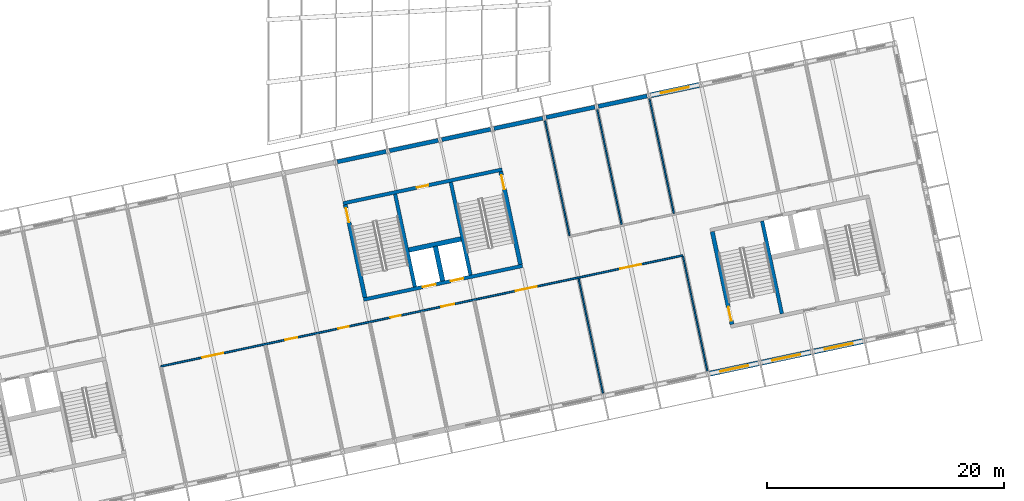
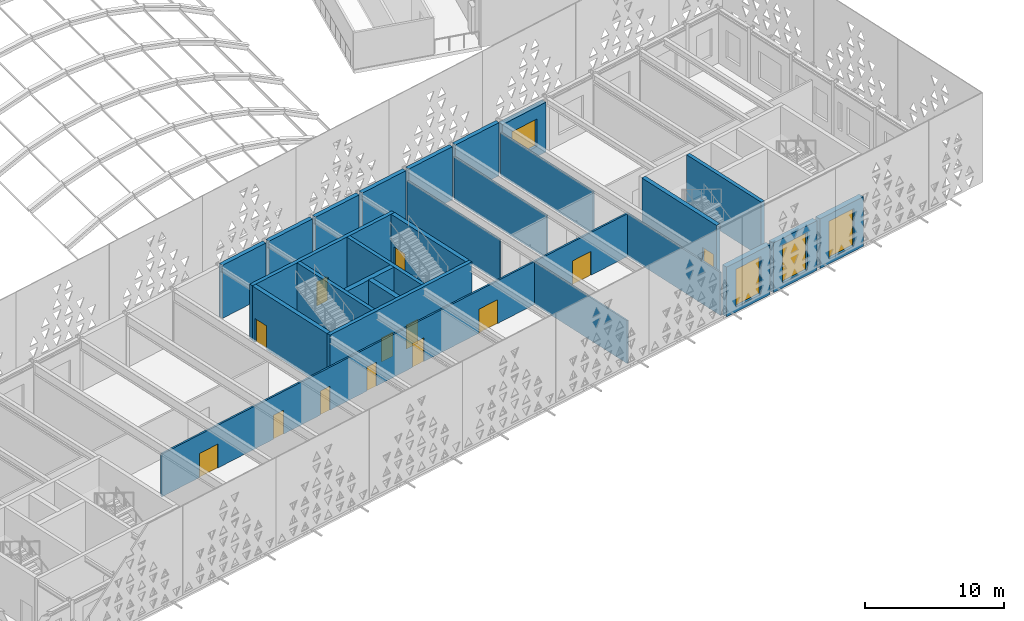
# One storey, part 124 of 196: 26 walls, 13 doors, 4 windows, 17 openings.
"""IFC4 building model written with IfcOpenShell, lengths in metres."""

import ifcopenshell
import ifcopenshell.guid

model = None  # the IFC model being written
_history = None  # IfcOwnerHistory: only IFC2X3 demands one
_inside = {}  # id of a spatial element -> (the spatial element, [elements in it])
_under = {}  # id of a project, library or spatial element -> (it, [spatial elements below it])
_declared = {}  # id of a project -> (the project, [libraries it declares])
_typed = {}  # id of a type object -> (the type object, [elements of that type])
_made_of = {}  # id of a material, layer set ... -> (it, [elements and type objects made of it])


def new_model(schema):
    """Start an empty IFC model of exactly this schema.

    Asked for "IFC4X3", IfcOpenShell would pick the latest addendum, in which some entities
    have other attributes; the version numbers below select the first issue.
    IFC2X3 requires an IfcOwnerHistory on every rooted entity: one is made here for all.
    """
    global model, _history
    if schema == "IFC4X3":
        model = ifcopenshell.file(schema_version=(4, 3, 0, 0))
    else:
        model = ifcopenshell.file(schema=schema)
    _inside.clear()
    _under.clear()
    _declared.clear()
    _typed.clear()
    _made_of.clear()
    _history = None
    if model.schema == "IFC2X3":
        org = make("IfcOrganization", Name="unknown")
        user = make(
            "IfcPersonAndOrganization",
            ThePerson=make("IfcPerson", FamilyName="unknown"),
            TheOrganization=org,
        )
        app = make(
            "IfcApplication",
            ApplicationDeveloper=org,
            Version="unknown",
            ApplicationFullName="unknown",
            ApplicationIdentifier="unknown",
        )
        _history = make(
            "IfcOwnerHistory",
            OwningUser=user,
            OwningApplication=app,
            ChangeAction="ADDED",
            CreationDate=0,
        )
    return model


def make(cls, **values):
    """One entity of the class cls with the attributes given. An attribute that is None is left unset."""
    return model.create_entity(
        cls, **{name: value for name, value in values.items() if value is not None}
    )


def rooted(cls, **values):
    """An entity with a GlobalId (a new one), such as an element, a storey or a relation."""
    return make(cls, GlobalId=ifcopenshell.guid.new(), OwnerHistory=_history, **values)


def si_unit(unit_type, name, prefix=None):
    """IfcSIUnit, for example si_unit("LENGTHUNIT", "METRE", prefix="MILLI")."""
    return make("IfcSIUnit", UnitType=unit_type, Prefix=prefix, Name=name)


def assignment(units):
    """IfcUnitAssignment: the units of a project."""
    return None if units is None else make("IfcUnitAssignment", Units=units)


def point(xyz):
    """IfcCartesianPoint."""
    return None if xyz is None else make("IfcCartesianPoint", Coordinates=xyz)


def direction(xyz):
    """IfcDirection."""
    return None if xyz is None else make("IfcDirection", DirectionRatios=xyz)


def frame(location, z_axis=None, x_axis=None):
    """IfcAxis2Placement3D, a coordinate frame: its origin and axes. An axis left out is left unset."""
    return make(
        "IfcAxis2Placement3D",
        Location=point(location),
        Axis=direction(z_axis),
        RefDirection=direction(x_axis),
    )


def frame_2d(location, x_axis=None):
    """IfcAxis2Placement2D, a coordinate frame in the plane: its origin and x axis."""
    return make(
        "IfcAxis2Placement2D", Location=point(location), RefDirection=direction(x_axis)
    )


def origin():
    """The frame at (0, 0, 0) with its axes left unset."""
    return frame((0.0, 0.0, 0.0))


def place(relative_to, where):
    """IfcLocalPlacement: puts the frame where relative to a parent placement (None: the world)."""
    return make(
        "IfcLocalPlacement", PlacementRelTo=relative_to, RelativePlacement=where
    )


def context(
    kind, dimensions, precision=None, world=None, true_north=None, identifier=None
):
    """IfcGeometricRepresentationContext, for example the 3D "Model" context."""
    return make(
        "IfcGeometricRepresentationContext",
        ContextIdentifier=identifier,
        ContextType=kind,
        CoordinateSpaceDimension=dimensions,
        Precision=precision,
        WorldCoordinateSystem=world,
        TrueNorth=true_north,
    )


def subcontext(parent, identifier, kind, view, scale=None):
    """IfcGeometricRepresentationSubContext, for example "Body" below "Model"."""
    return make(
        "IfcGeometricRepresentationSubContext",
        ContextIdentifier=identifier,
        ContextType=kind,
        ParentContext=parent,
        TargetScale=scale,
        TargetView=view,
    )


def project(units=None, contexts=None):
    """IfcProject with its units and contexts."""
    return rooted(
        "IfcProject",
        Name="project",
        RepresentationContexts=contexts,
        UnitsInContext=assignment(units),
    )


def spatial(cls, under=None, at=None, **own):
    """A site, building, storey or space (cls), placed at a placement, below another one or the project."""
    s = rooted(cls, ObjectPlacement=at, **own)
    if under is not None:
        _under.setdefault(under.id(), (under, []))[1].append(s)
    return s


def profile(cls, at=None, kind="AREA", **sizes):
    """A parametric profile (cls). Its sizes go by their IFC names, for example OverallWidth=200.0."""
    return make(cls, ProfileType=kind, Position=at, **sizes)


def rectangle(**sizes):
    """IfcRectangleProfileDef."""
    return profile("IfcRectangleProfileDef", **sizes)


def extrude(swept, where, along, depth):
    """IfcExtrudedAreaSolid: the profile swept, set in the frame where, extruded along a direction by depth."""
    return make(
        "IfcExtrudedAreaSolid",
        SweptArea=swept,
        Position=where,
        ExtrudedDirection=direction(along),
        Depth=depth,
    )


def shape(context_of_items, identifier, shape_type, items):
    """IfcShapeRepresentation: the items that make up one representation, for example the "Body"."""
    return make(
        "IfcShapeRepresentation",
        ContextOfItems=context_of_items,
        RepresentationIdentifier=identifier,
        RepresentationType=shape_type,
        Items=items,
    )


def material(Name=None, Category=None):
    """IfcMaterial."""
    return make("IfcMaterial", Name=Name, Category=Category)


def layer(
    of_material, thickness, ventilated=None, Name=None, Category=None, Priority=None
):
    """IfcMaterialLayer: one layer of a wall or slab, of a material (None: an air gap)."""
    return make(
        "IfcMaterialLayer",
        Material=of_material,
        LayerThickness=thickness,
        IsVentilated=ventilated,
        Name=Name,
        Category=Category,
        Priority=Priority,
    )


def layer_set(layers, Name=None):
    """IfcMaterialLayerSet."""
    return make("IfcMaterialLayerSet", MaterialLayers=layers, LayerSetName=Name)


def made_of(thing, what):
    """Note that an element or type object is made of a material, layer set ...; save() writes the relation."""
    if what is not None:
        _made_of.setdefault(what.id(), (what, []))[1].append(thing)
    return thing


def type_object(cls, material=None, **own):
    """A type object (cls), such as IfcWallType, which elements share."""
    return made_of(rooted(cls, **own), material)


def element(
    cls,
    number,
    at=None,
    inside=None,
    cuts=None,
    type_object=None,
    material=None,
    context=None,
    identifier="Body",
    shape_type=None,
    held_by="IfcProductDefinitionShape",
    body=None,
    shapes=None,
    **own,
):
    """One element of the class cls, such as IfcWall. Its Tag is "e" and its number.

    at: its placement. inside: the storey or other place that contains it. cuts: it is an
    opening in that element (IfcRelVoidsElement). A single representation is given by context,
    identifier, shape_type and body (its items); several are given by shapes. held_by: the class
    of the entity that holds the representations. save() writes the other relations.
    """
    e = rooted(cls, Tag="e%d" % number, ObjectPlacement=at, **own)
    if body is not None:
        shapes = [shape(context, identifier, shape_type, body)]
    if shapes is not None:
        e.Representation = make(held_by, Representations=shapes)
    if inside is not None:
        _inside.setdefault(inside.id(), (inside, []))[1].append(e)
    if cuts is not None:
        rooted(
            "IfcRelVoidsElement", RelatingBuildingElement=cuts, RelatedOpeningElement=e
        )
    if type_object is not None:
        _typed.setdefault(type_object.id(), (type_object, []))[1].append(e)
    return made_of(e, material)


def fill(opening, filler):
    """IfcRelFillsElement: the door or window that sits in an opening."""
    return rooted(
        "IfcRelFillsElement",
        RelatingOpeningElement=opening,
        RelatedBuildingElement=filler,
    )


def aggregate(whole, parts):
    """IfcRelAggregates: a whole, such as a stair, and the parts it consists of."""
    return rooted("IfcRelAggregates", RelatingObject=whole, RelatedObjects=parts)


def save(model, path):
    """Write the relations noted so far, then the file.

    IfcRelAggregates (storeys below a building ...), IfcRelContainedInSpatialStructure (elements
    in a storey), IfcRelDefinesByType, IfcRelAssociatesMaterial and IfcRelDeclares: one each for
    every whole, place, type object, material and project.
    """
    for whole, parts in _under.values():
        aggregate(whole, parts)
    for where, things in _inside.values():
        rooted(
            "IfcRelContainedInSpatialStructure",
            RelatedElements=things,
            RelatingStructure=where,
        )
    for kind, things in _typed.values():
        rooted("IfcRelDefinesByType", RelatedObjects=things, RelatingType=kind)
    for what, things in _made_of.values():
        rooted("IfcRelAssociatesMaterial", RelatedObjects=things, RelatingMaterial=what)
    for by, libraries in _declared.values():
        rooted("IfcRelDeclares", RelatingContext=by, RelatedDefinitions=libraries)
    model.write(path)


model = new_model("IFC4")

# Units and contexts
model_context = context("Model", 3, precision=1e-05, world=origin(), true_north=direction((0.0, 1.0)))
body_context = subcontext(model_context, "Body", "Model", "MODEL_VIEW")
ifc_project = project(units=[si_unit("LENGTHUNIT", "METRE"), si_unit("AREAUNIT", "SQUARE_METRE"), si_unit("VOLUMEUNIT", "CUBIC_METRE"), si_unit("PLANEANGLEUNIT", "RADIAN"), si_unit("MASSUNIT", "GRAM", prefix="KILO")], contexts=[model_context])

# Site, building, storey
site_placement = place(None, origin())
site = spatial("IfcSite", under=ifc_project, at=site_placement, CompositionType="ELEMENT")
building_placement = place(site_placement, origin())
building = spatial("IfcBuilding", under=site, at=building_placement, Name="Okhra Congress Centre", CompositionType="ELEMENT")
storey_placement = place(building_placement, frame((0.0, 0.0, 12.0)))
storey = spatial("IfcBuildingStorey", under=building, at=storey_placement, Name="L02", CompositionType="ELEMENT", Elevation=12.0)

# Wall, opening, window
ifc_material_1 = material(Name="Insulated metal panel on steel stud (mineral wool, vapour barrier)", Category="steel")
ifc_layer_1 = layer(ifc_material_1, 0.449951171875)
ifc_layer_set_1 = layer_set([ifc_layer_1], Name="Insulated wall 450")
wall_type_1 = type_object("IfcWallType", Name="Insulated wall 450", PredefinedType="SOLIDWALL", material=ifc_layer_set_1)
wall_1_placement = place(storey_placement, frame((197.609375, 55.843994140625, 0.0), z_axis=(0.0, 0.0, 1.0), x_axis=(0.978143927149, 0.207928972925, 0.0)))
wall_1 = element("IfcWall", 1, at=wall_1_placement, inside=storey, type_object=wall_type_1, Name="External wall S32 L02", PredefinedType="SOLIDWALL", context=body_context, shape_type="SweptSolid", body=[
    extrude(rectangle(XDim=4.199951171875, YDim=0.449951171875, at=frame_2d((2.10009765625, 0.0))), origin(), (0.0, 0.0, 1.0), 4.35009765625),
])
opening_1_placement = place(wall_1_placement, frame((0.89990234375, 0.0, 0.449951171875)))
opening_1 = element("IfcOpeningElement", 2, at=opening_1_placement, cuts=wall_1, Name="Opening WN21", PredefinedType="OPENING", context=body_context, shape_type="SweptSolid", body=[
    extrude(rectangle(XDim=2.39990234375, YDim=3.300048828125, at=frame_2d((1.199951171875, 1.64990234375))), frame((0.0, 0.23486328125, 0.0), z_axis=(0.0, -1.0, 0.0), x_axis=(1.0, 0.0, 0.0)), (0.0, 0.0, 1.0), 0.469970703125),
])
ifc_material_2 = material(Name="Thermally broken aluminium frame, triple glazing", Category="aluminium")
window_type_1 = type_object("IfcWindowType", Name="Two-light window 2400x3300", PartitioningType="DOUBLE_PANEL_VERTICAL", PredefinedType="WINDOW", material=ifc_material_2)
window_1_placement = place(opening_1_placement, origin())
window_1 = element("IfcWindow", 3, at=window_1_placement, inside=storey, type_object=window_type_1, Name="BX.WIN.L02.32", OverallHeight=3.300048828125, OverallWidth=2.39990234375, PartitioningType="DOUBLE_PANEL_VERTICAL", PredefinedType="WINDOW", context=body_context, shape_type="SweptSolid", body=[
    extrude(rectangle(XDim=2.39990234375, YDim=3.300048828125, at=frame_2d((1.199951171875, 1.64990234375))), frame((0.0, 0.030029296875, 0.0), z_axis=(0.0, -1.0, 0.0), x_axis=(1.0, 0.0, 0.0)), (0.0, 0.0, 1.0), 0.06005859375),
])
fill(opening_1, window_1)

wall_2_placement = place(storey_placement, frame((202.010986328125, 56.77978515625, 0.0), z_axis=(0.0, 0.0, 1.0), x_axis=(0.978155748334, 0.207873355681, 0.0)))
wall_2 = element("IfcWall", 4, at=wall_2_placement, inside=storey, type_object=wall_type_1, Name="External wall S33 L02", PredefinedType="SOLIDWALL", context=body_context, shape_type="SweptSolid", body=[
    extrude(rectangle(XDim=4.199951171875, YDim=0.449951171875, at=frame_2d((2.10009765625, 0.0))), origin(), (0.0, 0.0, 1.0), 4.35009765625),
])
opening_2_placement = place(wall_2_placement, frame((0.89990234375, 0.0, 0.449951171875)))
opening_2 = element("IfcOpeningElement", 5, at=opening_2_placement, cuts=wall_2, Name="Opening WN21", PredefinedType="OPENING", context=body_context, shape_type="SweptSolid", body=[
    extrude(rectangle(XDim=2.39990234375, YDim=3.300048828125, at=frame_2d((1.199951171875, 1.64990234375))), frame((0.0, 0.23486328125, 0.0), z_axis=(0.0, -1.0, 0.0), x_axis=(1.0, 0.0, 0.0)), (0.0, 0.0, 1.0), 0.469970703125),
])
window_2_placement = place(opening_2_placement, origin())
window_2 = element("IfcWindow", 6, at=window_2_placement, inside=storey, type_object=window_type_1, Name="BX.WIN.L02.33", OverallHeight=3.300048828125, OverallWidth=2.39990234375, PartitioningType="DOUBLE_PANEL_VERTICAL", PredefinedType="WINDOW", context=body_context, shape_type="SweptSolid", body=[
    extrude(rectangle(XDim=2.39990234375, YDim=3.300048828125, at=frame_2d((1.199951171875, 1.64990234375))), frame((0.0, 0.030029296875, 0.0), z_axis=(0.0, -1.0, 0.0), x_axis=(1.0, 0.0, 0.0)), (0.0, 0.0, 1.0), 0.06005859375),
])
fill(opening_2, window_2)

wall_3_placement = place(storey_placement, frame((206.41259765625, 57.71533203125, 0.0), z_axis=(0.0, 0.0, 1.0), x_axis=(0.978143927149, 0.207928972925, 0.0)))
wall_3 = element("IfcWall", 7, at=wall_3_placement, inside=storey, type_object=wall_type_1, Name="External wall S34 L02", PredefinedType="SOLIDWALL", context=body_context, shape_type="SweptSolid", body=[
    extrude(rectangle(XDim=4.199951171875, YDim=0.449951171875, at=frame_2d((2.10009765625, 0.0))), origin(), (0.0, 0.0, 1.0), 4.35009765625),
])
opening_3_placement = place(wall_3_placement, frame((0.89990234375, 0.0, 0.449951171875)))
opening_3 = element("IfcOpeningElement", 8, at=opening_3_placement, cuts=wall_3, Name="Opening WN21", PredefinedType="OPENING", context=body_context, shape_type="SweptSolid", body=[
    extrude(rectangle(XDim=2.39990234375, YDim=3.300048828125, at=frame_2d((1.199951171875, 1.64990234375))), frame((0.0, 0.23486328125, 0.0), z_axis=(0.0, -1.0, 0.0), x_axis=(1.0, 0.0, 0.0)), (0.0, 0.0, 1.0), 0.469970703125),
])
window_3_placement = place(opening_3_placement, origin())
window_3 = element("IfcWindow", 9, at=window_3_placement, inside=storey, type_object=window_type_1, Name="BX.WIN.L02.34", OverallHeight=3.300048828125, OverallWidth=2.39990234375, PartitioningType="DOUBLE_PANEL_VERTICAL", PredefinedType="WINDOW", context=body_context, shape_type="SweptSolid", body=[
    extrude(rectangle(XDim=2.39990234375, YDim=3.300048828125, at=frame_2d((1.199951171875, 1.64990234375))), frame((0.0, 0.030029296875, 0.0), z_axis=(0.0, -1.0, 0.0), x_axis=(1.0, 0.0, 0.0)), (0.0, 0.0, 1.0), 0.06005859375),
])
fill(opening_3, window_3)

wall_4_placement = place(storey_placement, frame((192.619384765625, 79.319580078125, 0.0), z_axis=(0.0, 0.0, 1.0), x_axis=(0.978143927149, 0.207928972925, 0.0)))
wall_4 = element("IfcWall", 10, at=wall_4_placement, inside=storey, type_object=wall_type_1, Name="External wall N32 L02", PredefinedType="SOLIDWALL", context=body_context, shape_type="SweptSolid", body=[
    extrude(rectangle(XDim=4.199951171875, YDim=0.449951171875, at=frame_2d((2.10009765625, 0.0))), origin(), (0.0, 0.0, 1.0), 4.35009765625),
])
opening_4_placement = place(wall_4_placement, frame((0.89990234375, 0.0, 0.89990234375)))
opening_4 = element("IfcOpeningElement", 11, at=opening_4_placement, cuts=wall_4, Name="Opening WN22", PredefinedType="OPENING", context=body_context, shape_type="SweptSolid", body=[
    extrude(rectangle(XDim=2.39990234375, YDim=2.39990234375, at=frame_2d((1.199951171875, 1.199951171875))), frame((0.0, 0.23486328125, 0.0), z_axis=(0.0, -1.0, 0.0), x_axis=(1.0, 0.0, 0.0)), (0.0, 0.0, 1.0), 0.469970703125),
])
window_type_2 = type_object("IfcWindowType", Name="Fixed window 2400x2400", PartitioningType="SINGLE_PANEL", PredefinedType="WINDOW", material=ifc_material_2)
window_4_placement = place(opening_4_placement, origin())
window_4 = element("IfcWindow", 12, at=window_4_placement, inside=storey, type_object=window_type_2, Name="BX.WIN.L02.59", OverallHeight=2.39990234375, OverallWidth=2.39990234375, PartitioningType="SINGLE_PANEL", PredefinedType="WINDOW", context=body_context, shape_type="SweptSolid", body=[
    extrude(rectangle(XDim=2.39990234375, YDim=2.39990234375, at=frame_2d((1.199951171875, 1.199951171875))), frame((0.0, 0.030029296875, 0.0), z_axis=(0.0, -1.0, 0.0), x_axis=(1.0, 0.0, 0.0)), (0.0, 0.0, 1.0), 0.06005859375),
])
fill(opening_4, window_4)

# Walls
ifc_material_3 = material(Name="Gypsum board on steel studs", Category="steel")
ifc_layer_2 = layer(ifc_material_3, 0.125)
ifc_layer_set_2 = layer_set([ifc_layer_2], Name="Partition 125")
wall_type_2 = type_object("IfcWallType", Name="Partition 125", PredefinedType="PARTITIONING", material=ifc_layer_set_2)
for number, where, z_axis, x_axis, name in (
    (13, (188.612548828125, 54.161865234375, 0.0), (0.0, 0.0, 1.0), (-0.207932893358, 0.978143093754, 0.0), "Partition S L02"),
    (14, (197.415771484375, 56.032958984375, 0.0), (0.0, 0.0, 1.0), (-0.207904355568, 0.978149159861, 0.0), "Partition S L02"),
):
    element("IfcWall", number, at=place(storey_placement, frame(where, z_axis=z_axis, x_axis=x_axis)), inside=storey, type_object=wall_type_2, Name=name, PredefinedType="PARTITIONING", context=body_context, shape_type="SweptSolid", body=[
        extrude(rectangle(XDim=9.925048828125, YDim=0.125, at=frame_2d((4.96240234375, 0.0))), origin(), (0.0, 0.0, 1.0), 3.75),
    ])
wall_5_placement = place(storey_placement, frame((183.716064453125, 77.197265625, 0.0), z_axis=(0.0, 0.0, 1.0), x_axis=(0.207927890391, -0.978144157268, 0.0)))
element("IfcWall", 15, at=wall_5_placement, inside=storey, type_object=wall_type_2, Name="Partition N L02", PredefinedType="PARTITIONING", context=body_context, shape_type="SweptSolid", body=[
    extrude(rectangle(XDim=9.92529296875, YDim=0.125, at=frame_2d((4.962646484375, 0.0))), origin(), (0.0, 0.0, 1.0), 3.75),
])
wall_6_placement = place(storey_placement, frame((188.117919921875, 78.1328125, 0.0), z_axis=(0.0, 0.0, 1.0), x_axis=(0.207904355568, -0.978149159861, 0.0)))
element("IfcWall", 16, at=wall_6_placement, inside=storey, type_object=wall_type_2, Name="Partition N L02", PredefinedType="PARTITIONING", context=body_context, shape_type="SweptSolid", body=[
    extrude(rectangle(XDim=9.925048828125, YDim=0.125, at=frame_2d((4.96240234375, 0.0))), origin(), (0.0, 0.0, 1.0), 3.75),
])
wall_7_placement = place(storey_placement, frame((192.51953125, 79.068359375, 0.0), z_axis=(0.0, 0.0, 1.0), x_axis=(0.20790935802, -0.978148096582, 0.0)))
element("IfcWall", 17, at=wall_7_placement, inside=storey, type_object=wall_type_2, Name="Partition N L02", PredefinedType="PARTITIONING", context=body_context, shape_type="SweptSolid", body=[
    extrude(rectangle(XDim=9.9248046875, YDim=0.125, at=frame_2d((4.96240234375, 0.0))), origin(), (0.0, 0.0, 1.0), 3.75),
])

# Wall, openings, doors
ifc_layer_3 = layer(ifc_material_3, 0.14990234375)
ifc_layer_set_3 = layer_set([ifc_layer_3], Name="Partition 150 EI 15")
wall_type_3 = type_object("IfcWallType", Name="Partition 150 EI 15", PredefinedType="PARTITIONING", material=ifc_layer_set_3)
wall_8_placement = place(storey_placement, frame((151.320068359375, 56.45849609375, 0.0), z_axis=(0.0, 0.0, 1.0), x_axis=(0.97814787394, 0.207910405482, 0.0)))
wall_8 = element("IfcWall", 18, at=wall_8_placement, inside=storey, type_object=wall_type_3, Name="Corridor wall S2 L02", PredefinedType="PARTITIONING", context=body_context, shape_type="SweptSolid", body=[
    extrude(rectangle(XDim=45.0, YDim=0.14990234375, at=frame_2d((22.5, 0.0))), origin(), (0.0, 0.0, 1.0), 3.75),
])
opening_5_placement = place(wall_8_placement, frame((3.60009765625, 0.0, 0.0)))
opening_5 = element("IfcOpeningElement", 19, at=opening_5_placement, cuts=wall_8, Name="Opening L02-067", PredefinedType="OPENING", context=body_context, shape_type="SweptSolid", body=[
    extrude(rectangle(XDim=1.800048828125, YDim=2.10009765625, at=frame_2d((0.89990234375, 1.050048828125))), frame((0.0, 0.0849609375, 0.0), z_axis=(0.0, -1.0, 0.0), x_axis=(1.0, 0.0, 0.0)), (0.0, 0.0, 1.0), 0.169921875),
])
opening_6_placement = place(wall_8_placement, frame((10.75, 0.0, 0.0)))
opening_6 = element("IfcOpeningElement", 20, at=opening_6_placement, cuts=wall_8, Name="Opening L02-068", PredefinedType="OPENING", context=body_context, shape_type="SweptSolid", body=[
    extrude(rectangle(XDim=1.0, YDim=2.10009765625, at=frame_2d((0.5, 1.050048828125))), frame((0.0, 0.0849609375, 0.0), z_axis=(0.0, -1.0, 0.0), x_axis=(1.0, 0.0, 0.0)), (0.0, 0.0, 1.0), 0.169921875),
])
opening_7_placement = place(wall_8_placement, frame((15.300048828125, 0.0, 0.0)))
opening_7 = element("IfcOpeningElement", 21, at=opening_7_placement, cuts=wall_8, Name="Opening L02-069", PredefinedType="OPENING", context=body_context, shape_type="SweptSolid", body=[
    extrude(rectangle(XDim=0.89990234375, YDim=2.10009765625, at=frame_2d((0.449951171875, 1.050048828125))), frame((0.0, 0.0849609375, 0.0), z_axis=(0.0, -1.0, 0.0), x_axis=(1.0, 0.0, 0.0)), (0.0, 0.0, 1.0), 0.169921875),
])
opening_8_placement = place(wall_8_placement, frame((19.800048828125, 0.0, 0.0)))
opening_8 = element("IfcOpeningElement", 22, at=opening_8_placement, cuts=wall_8, Name="Opening L02-070", PredefinedType="OPENING", context=body_context, shape_type="SweptSolid", body=[
    extrude(rectangle(XDim=0.89990234375, YDim=2.10009765625, at=frame_2d((0.449951171875, 1.050048828125))), frame((0.0, 0.0849609375, 0.0), z_axis=(0.0, -1.0, 0.0), x_axis=(1.0, 0.0, 0.0)), (0.0, 0.0, 1.0), 0.169921875),
])
opening_9_placement = place(wall_8_placement, frame((24.199951171875, 0.0, 0.0)))
opening_9 = element("IfcOpeningElement", 23, at=opening_9_placement, cuts=wall_8, Name="Opening L02-071", PredefinedType="OPENING", context=body_context, shape_type="SweptSolid", body=[
    extrude(rectangle(XDim=1.10009765625, YDim=2.10009765625, at=frame_2d((0.550048828125, 1.050048828125))), frame((0.0, 0.0849609375, 0.0), z_axis=(0.0, -1.0, 0.0), x_axis=(1.0, 0.0, 0.0)), (0.0, 0.0, 1.0), 0.169921875),
])
opening_10_placement = place(wall_8_placement, frame((30.60009765625, 0.0, 0.0)))
opening_10 = element("IfcOpeningElement", 24, at=opening_10_placement, cuts=wall_8, Name="Opening L02-072", PredefinedType="OPENING", context=body_context, shape_type="SweptSolid", body=[
    extrude(rectangle(XDim=1.800048828125, YDim=2.10009765625, at=frame_2d((0.89990234375, 1.050048828125))), frame((0.0, 0.0849609375, 0.0), z_axis=(0.0, -1.0, 0.0), x_axis=(1.0, 0.0, 0.0)), (0.0, 0.0, 1.0), 0.169921875),
])
opening_11_placement = place(wall_8_placement, frame((39.60009765625, 0.0, 0.0)))
opening_11 = element("IfcOpeningElement", 25, at=opening_11_placement, cuts=wall_8, Name="Opening L02-073", PredefinedType="OPENING", context=body_context, shape_type="SweptSolid", body=[
    extrude(rectangle(XDim=1.800048828125, YDim=2.10009765625, at=frame_2d((0.89990234375, 1.050048828125))), frame((0.0, 0.0849609375, 0.0), z_axis=(0.0, -1.0, 0.0), x_axis=(1.0, 0.0, 0.0)), (0.0, 0.0, 1.0), 0.169921875),
])
ifc_material_4 = material(Name="Timber door leaves in steel frame", Category="steel")
door_type_1 = type_object("IfcDoorType", Name="Double swing door 1800x2100", OperationType="NOTDEFINED", PredefinedType="DOOR", material=ifc_material_4)
door_1_placement = place(opening_5_placement, origin())
door_1 = element("IfcDoor", 26, at=door_1_placement, inside=storey, type_object=door_type_1, Name="Door L02-067", OperationType="DOUBLE_DOOR_SINGLE_SWING", OverallHeight=2.10009765625, OverallWidth=1.800048828125, PredefinedType="DOOR", context=body_context, shape_type="SweptSolid", body=[
    extrude(rectangle(XDim=1.800048828125, YDim=2.10009765625, at=frame_2d((0.89990234375, 1.050048828125))), frame((0.0, 0.02490234375, 0.0), z_axis=(0.0, -1.0, 0.0), x_axis=(1.0, 0.0, 0.0)), (0.0, 0.0, 1.0), 0.050048828125),
])
fill(opening_5, door_1)
door_2_placement = place(opening_10_placement, origin())
door_2 = element("IfcDoor", 27, at=door_2_placement, inside=storey, type_object=door_type_1, Name="Door L02-072", OperationType="DOUBLE_DOOR_SINGLE_SWING", OverallHeight=2.10009765625, OverallWidth=1.800048828125, PredefinedType="DOOR", context=body_context, shape_type="SweptSolid", body=[
    extrude(rectangle(XDim=1.800048828125, YDim=2.10009765625, at=frame_2d((0.89990234375, 1.050048828125))), frame((0.0, 0.02490234375, 0.0), z_axis=(0.0, -1.0, 0.0), x_axis=(1.0, 0.0, 0.0)), (0.0, 0.0, 1.0), 0.050048828125),
])
fill(opening_10, door_2)
door_3_placement = place(opening_11_placement, origin())
door_3 = element("IfcDoor", 28, at=door_3_placement, inside=storey, type_object=door_type_1, Name="Door L02-073", OperationType="DOUBLE_DOOR_SINGLE_SWING", OverallHeight=2.10009765625, OverallWidth=1.800048828125, PredefinedType="DOOR", context=body_context, shape_type="SweptSolid", body=[
    extrude(rectangle(XDim=1.800048828125, YDim=2.10009765625, at=frame_2d((0.89990234375, 1.050048828125))), frame((0.0, 0.02490234375, 0.0), z_axis=(0.0, -1.0, 0.0), x_axis=(1.0, 0.0, 0.0)), (0.0, 0.0, 1.0), 0.050048828125),
])
fill(opening_11, door_3)
ifc_material_5 = material(Name="Timber door leaf in steel frame", Category="steel")
door_type_2 = type_object("IfcDoorType", Name="Single swing door 1000x2100", OperationType="NOTDEFINED", PredefinedType="DOOR", material=ifc_material_5)
door_4_placement = place(opening_6_placement, frame((1.0, 0.0, 0.0), z_axis=(0.0, 0.0, 1.0), x_axis=(-1.0, 0.0, 0.0)))
door_4 = element("IfcDoor", 29, at=door_4_placement, inside=storey, type_object=door_type_2, Name="Door L02-068", OperationType="SINGLE_SWING_LEFT", OverallHeight=2.10009765625, OverallWidth=1.0, PredefinedType="DOOR", context=body_context, shape_type="SweptSolid", body=[
    extrude(rectangle(XDim=1.0, YDim=2.10009765625, at=frame_2d((0.5, 1.050048828125))), frame((0.0, 0.02490234375, 0.0), z_axis=(0.0, -1.0, 0.0), x_axis=(1.0, 0.0, 0.0)), (0.0, 0.0, 1.0), 0.050048828125),
])
fill(opening_6, door_4)
door_type_3 = type_object("IfcDoorType", Name="Single swing door 1100x2100", OperationType="NOTDEFINED", PredefinedType="DOOR", material=ifc_material_5)
door_5_placement = place(opening_9_placement, frame((1.10009765625, 0.0, 0.0), z_axis=(0.0, 0.0, 1.0), x_axis=(-1.0, 0.0, 0.0)))
door_5 = element("IfcDoor", 30, at=door_5_placement, inside=storey, type_object=door_type_3, Name="Door L02-071", OperationType="SINGLE_SWING_RIGHT", OverallHeight=2.10009765625, OverallWidth=1.10009765625, PredefinedType="DOOR", context=body_context, shape_type="SweptSolid", body=[
    extrude(rectangle(XDim=1.10009765625, YDim=2.10009765625, at=frame_2d((0.550048828125, 1.050048828125))), frame((0.0, 0.02490234375, 0.0), z_axis=(0.0, -1.0, 0.0), x_axis=(1.0, 0.0, 0.0)), (0.0, 0.0, 1.0), 0.050048828125),
])
fill(opening_9, door_5)
door_type_4 = type_object("IfcDoorType", Name="Single swing door 900x2100", OperationType="NOTDEFINED", PredefinedType="DOOR", material=ifc_material_5)
door_6_placement = place(opening_7_placement, frame((0.89990234375, 0.0, 0.0), z_axis=(0.0, 0.0, 1.0), x_axis=(-1.0, 0.0, 0.0)))
door_6 = element("IfcDoor", 31, at=door_6_placement, inside=storey, type_object=door_type_4, Name="Door L02-069", OperationType="SINGLE_SWING_RIGHT", OverallHeight=2.10009765625, OverallWidth=0.89990234375, PredefinedType="DOOR", context=body_context, shape_type="SweptSolid", body=[
    extrude(rectangle(XDim=0.89990234375, YDim=2.10009765625, at=frame_2d((0.449951171875, 1.050048828125))), frame((0.0, 0.02490234375, 0.0), z_axis=(0.0, -1.0, 0.0), x_axis=(1.0, 0.0, 0.0)), (0.0, 0.0, 1.0), 0.050048828125),
])
fill(opening_7, door_6)
door_7_placement = place(opening_8_placement, frame((0.89990234375, 0.0, 0.0), z_axis=(0.0, 0.0, 1.0), x_axis=(-1.0, 0.0, 0.0)))
door_7 = element("IfcDoor", 32, at=door_7_placement, inside=storey, type_object=door_type_4, Name="Door L02-070", OperationType="SINGLE_SWING_LEFT", OverallHeight=2.10009765625, OverallWidth=0.89990234375, PredefinedType="DOOR", context=body_context, shape_type="SweptSolid", body=[
    extrude(rectangle(XDim=0.89990234375, YDim=2.10009765625, at=frame_2d((0.449951171875, 1.050048828125))), frame((0.0, 0.02490234375, 0.0), z_axis=(0.0, -1.0, 0.0), x_axis=(1.0, 0.0, 0.0)), (0.0, 0.0, 1.0), 0.050048828125),
])
fill(opening_8, door_7)

# Wall, opening, door
ifc_material_6 = material(Name="Concrete C35/45", Category="concrete")
ifc_layer_4 = layer(ifc_material_6, 0.300048828125)
ifc_layer_set_4 = layer_set([ifc_layer_4], Name="RC core wall 300 REI 120 C35/45")
wall_type_4 = type_object("IfcWallType", Name="RC core wall 300 REI 120 C35/45", PredefinedType="SHEAR", material=ifc_layer_set_4)
wall_9_placement = place(storey_placement, frame((166.69775390625, 70.2060546875, 0.0), z_axis=(0.0, 0.0, 1.0), x_axis=(0.978147662755, 0.20791139903, 0.0)))
wall_9 = element("IfcWall", 33, at=wall_9_placement, inside=storey, type_object=wall_type_4, Name="BX.WALL.L02.K4S", PredefinedType="SHEAR", context=body_context, shape_type="SweptSolid", body=[
    extrude(rectangle(XDim=13.699951171875, YDim=0.300048828125, at=frame_2d((6.85009765625, 0.0))), origin(), (0.0, 0.0, 1.0), 4.800048828125),
])
opening_12_placement = place(wall_9_placement, frame((6.35009765625, 0.0, 0.0)))
opening_12 = element("IfcOpeningElement", 34, at=opening_12_placement, cuts=wall_9, Name="Opening L02-055", PredefinedType="OPENING", context=body_context, shape_type="SweptSolid", body=[
    extrude(rectangle(XDim=1.0, YDim=2.10009765625, at=frame_2d((0.5, 1.050048828125))), frame((0.0, 0.159912109375, 0.0), z_axis=(0.0, -1.0, 0.0), x_axis=(1.0, 0.0, 0.0)), (0.0, 0.0, 1.0), 0.320068359375),
])
ifc_material_7 = material(Name="Steel fire door leaf in steel frame, intumescent seals", Category="steel")
door_type_5 = type_object("IfcDoorType", Name="Steel fire door 1000x2100 EI 30", OperationType="NOTDEFINED", PredefinedType="DOOR", material=ifc_material_7)
door_8_placement = place(opening_12_placement, frame((1.0, 0.0, 0.0), z_axis=(0.0, 0.0, 1.0), x_axis=(-1.0, 0.0, 0.0)))
door_8 = element("IfcDoor", 35, at=door_8_placement, inside=storey, type_object=door_type_5, Name="Door L02-055", OperationType="SINGLE_SWING_LEFT", OverallHeight=2.10009765625, OverallWidth=1.0, PredefinedType="DOOR", context=body_context, shape_type="SweptSolid", body=[
    extrude(rectangle(XDim=1.0, YDim=2.10009765625, at=frame_2d((0.5, 1.050048828125))), frame((0.0, 0.02490234375, 0.0), z_axis=(0.0, -1.0, 0.0), x_axis=(1.0, 0.0, 0.0)), (0.0, 0.0, 1.0), 0.050048828125),
])
fill(opening_12, door_8)

# Wall, openings, doors
wall_10_placement = place(storey_placement, frame((168.42333984375, 62.08740234375, 0.0), z_axis=(0.0, 0.0, 1.0), x_axis=(0.978147662755, 0.20791139903, 0.0)))
wall_10 = element("IfcWall", 36, at=wall_10_placement, inside=storey, type_object=wall_type_4, Name="BX.WALL.L02.K4T", PredefinedType="SHEAR", context=body_context, shape_type="SweptSolid", body=[
    extrude(rectangle(XDim=13.699951171875, YDim=0.300048828125, at=frame_2d((6.85009765625, 0.0))), origin(), (0.0, 0.0, 1.0), 4.800048828125),
])
opening_13_placement = place(wall_10_placement, frame((5.10009765625, 0.0, 0.0)))
opening_13 = element("IfcOpeningElement", 37, at=opening_13_placement, cuts=wall_10, Name="Opening L02-051", PredefinedType="OPENING", context=body_context, shape_type="SweptSolid", body=[
    extrude(rectangle(XDim=1.10009765625, YDim=2.10009765625, at=frame_2d((0.550048828125, 1.050048828125))), frame((0.0, 0.159912109375, 0.0), z_axis=(0.0, -1.0, 0.0), x_axis=(1.0, 0.0, 0.0)), (0.0, 0.0, 1.0), 0.320068359375),
])
opening_14_placement = place(wall_10_placement, frame((7.5, 0.0, 0.0)))
opening_14 = element("IfcOpeningElement", 38, at=opening_14_placement, cuts=wall_10, Name="Opening L02-052", PredefinedType="OPENING", context=body_context, shape_type="SweptSolid", body=[
    extrude(rectangle(XDim=1.10009765625, YDim=2.10009765625, at=frame_2d((0.550048828125, 1.050048828125))), frame((0.0, 0.159912109375, 0.0), z_axis=(0.0, -1.0, 0.0), x_axis=(1.0, 0.0, 0.0)), (0.0, 0.0, 1.0), 0.320068359375),
])
ifc_material_8 = material(Name="Stainless steel sliding landing door leaves", Category="steel")
door_type_6 = type_object("IfcDoorType", Name="Lift landing door 1100x2100 EI 30", OperationType="DOUBLE_DOOR_SLIDING", PredefinedType="DOOR", material=ifc_material_8)
door_9_placement = place(opening_13_placement, frame((1.10009765625, 0.0, 0.0), z_axis=(0.0, 0.0, 1.0), x_axis=(-1.0, 0.0, 0.0)))
door_9 = element("IfcDoor", 39, at=door_9_placement, inside=storey, type_object=door_type_6, Name="Door L02-051", OperationType="DOUBLE_DOOR_SLIDING", OverallHeight=2.10009765625, OverallWidth=1.10009765625, PredefinedType="DOOR", context=body_context, shape_type="SweptSolid", body=[
    extrude(rectangle(XDim=1.10009765625, YDim=2.10009765625, at=frame_2d((0.550048828125, 1.050048828125))), frame((0.0, 0.02490234375, 0.0), z_axis=(0.0, -1.0, 0.0), x_axis=(1.0, 0.0, 0.0)), (0.0, 0.0, 1.0), 0.050048828125),
])
fill(opening_13, door_9)
door_10_placement = place(opening_14_placement, frame((1.10009765625, 0.0, 0.0), z_axis=(0.0, 0.0, 1.0), x_axis=(-1.0, 0.0, 0.0)))
door_10 = element("IfcDoor", 40, at=door_10_placement, inside=storey, type_object=door_type_6, Name="Door L02-052", OperationType="DOUBLE_DOOR_SLIDING", OverallHeight=2.10009765625, OverallWidth=1.10009765625, PredefinedType="DOOR", context=body_context, shape_type="SweptSolid", body=[
    extrude(rectangle(XDim=1.10009765625, YDim=2.10009765625, at=frame_2d((0.550048828125, 1.050048828125))), frame((0.0, 0.02490234375, 0.0), z_axis=(0.0, -1.0, 0.0), x_axis=(1.0, 0.0, 0.0)), (0.0, 0.0, 1.0), 0.050048828125),
])
fill(opening_14, door_10)

# Walls
for number, where, z_axis, x_axis, name in (
    (41, (171.081787109375, 70.984619140625, 0.0), (0.0, 0.0, 1.0), (0.207915693476, -0.978146749934, 0.0), "BX.WALL.L02.K4P1"),
    (42, (175.77685546875, 71.982666015625, 0.0), (0.0, 0.0, 1.0), (0.207915693476, -0.978146749934, 0.0), "BX.WALL.L02.K4P2"),
    (43, (203.6923828125, 60.894287109375, 0.0), (0.0, 0.0, 1.0), (-0.207915693476, 0.978146749934, 0.0), "BX.WALL.L02.K5P1"),
):
    element("IfcWall", number, at=place(storey_placement, frame(where, z_axis=z_axis, x_axis=x_axis)), inside=storey, type_object=wall_type_4, Name=name, PredefinedType="SHEAR", context=body_context, shape_type="SweptSolid", body=[
        extrude(rectangle(XDim=8.0, YDim=0.300048828125, at=frame_2d((4.0, 0.0))), origin(), (0.0, 0.0, 1.0), 4.800048828125),
    ])
ifc_layer_5 = layer(ifc_material_6, 0.39990234375)
ifc_layer_set_5 = layer_set([ifc_layer_5], Name="RC core wall 400 REI 120 C35/45")
wall_type_5 = type_object("IfcWallType", Name="RC core wall 400 REI 120 C35/45", PredefinedType="SHEAR", material=ifc_layer_set_5)
wall_11_placement = place(storey_placement, frame((174.46875, 66.5927734375, 0.0), z_axis=(0.0, 0.0, 1.0), x_axis=(0.207933702079, -0.978142921837, 0.0)))
element("IfcWall", 44, at=wall_11_placement, inside=storey, type_object=wall_type_5, Name="BX.WALL.L02.K4D", PredefinedType="SHEAR", context=body_context, shape_type="SweptSolid", body=[
    extrude(rectangle(XDim=3.0, YDim=0.39990234375, at=frame_2d((1.5, 0.0))), origin(), (0.0, 0.0, 1.0), 4.800048828125),
])
wall_12_placement = place(storey_placement, frame((172.23681640625, 66.271728515625, 0.0), z_axis=(0.0, 0.0, 1.0), x_axis=(0.978149611564, 0.20790223038, 0.0)))
element("IfcWall", 45, at=wall_12_placement, inside=storey, type_object=wall_type_5, Name="BX.WALL.L02.K4R", PredefinedType="SHEAR", context=body_context, shape_type="SweptSolid", body=[
    extrude(rectangle(XDim=4.5, YDim=0.39990234375, at=frame_2d((2.25, 0.0))), origin(), (0.0, 0.0, 1.0), 4.800048828125),
])
ifc_material_9 = material(Name="Concrete C30/37", Category="concrete")
ifc_layer_6 = layer(ifc_material_9, 0.35009765625)
ifc_layer_set_6 = layer_set([ifc_layer_6], Name="RC fire wall 350 REI 150 C30/37")
wall_type_6 = type_object("IfcWallType", Name="RC fire wall 350 REI 150 C30/37", PredefinedType="SOLIDWALL", material=ifc_layer_set_6)
for number, where, z_axis, x_axis, name in (
    (46, (166.20947265625, 73.7060546875, 0.0), (0.0, 0.0, 1.0), (0.978143927149, 0.207928972925, 0.0), "Fire wall N26 L02"),
    (47, (170.611083984375, 74.6416015625, 0.0), (0.0, 0.0, 1.0), (0.978143927149, 0.207928972925, 0.0), "Fire wall N27 L02"),
):
    element("IfcWall", number, at=place(storey_placement, frame(where, z_axis=z_axis, x_axis=x_axis)), inside=storey, type_object=wall_type_6, Name=name, PredefinedType="SOLIDWALL", context=body_context, shape_type="SweptSolid", body=[
        extrude(rectangle(XDim=4.199951171875, YDim=0.35009765625, at=frame_2d((2.10009765625, 0.0))), origin(), (0.0, 0.0, 1.0), 4.64990234375),
    ])
wall_13_placement = place(storey_placement, frame((175.0126953125, 75.5771484375, 0.0), z_axis=(0.0, 0.0, 1.0), x_axis=(0.978146440129, 0.207917150959, 0.0)))
element("IfcWall", 48, at=wall_13_placement, inside=storey, type_object=wall_type_6, Name="Fire wall N28 L02", PredefinedType="SOLIDWALL", context=body_context, shape_type="SweptSolid", body=[
    extrude(rectangle(XDim=4.2001953125, YDim=0.35009765625, at=frame_2d((2.10009765625, 0.0))), origin(), (0.0, 0.0, 1.0), 4.64990234375),
])
for number, where, z_axis, x_axis, name in (
    (49, (179.41455078125, 76.512939453125, 0.0), (0.0, 0.0, 1.0), (0.978155748334, 0.207873355681, 0.0), "Fire wall N29 L02"),
    (50, (183.816162109375, 77.448486328125, 0.0), (0.0, 0.0, 1.0), (0.978143927149, 0.207928972925, 0.0), "Fire wall N30 L02"),
    (51, (188.2177734375, 78.384033203125, 0.0), (0.0, 0.0, 1.0), (0.978143927149, 0.207928972925, 0.0), "Fire wall N31 L02"),
):
    element("IfcWall", number, at=place(storey_placement, frame(where, z_axis=z_axis, x_axis=x_axis)), inside=storey, type_object=wall_type_6, Name=name, PredefinedType="SOLIDWALL", context=body_context, shape_type="SweptSolid", body=[
        extrude(rectangle(XDim=4.199951171875, YDim=0.35009765625, at=frame_2d((2.10009765625, 0.0))), origin(), (0.0, 0.0, 1.0), 4.64990234375),
    ])

# Wall, opening, door
ifc_layer_7 = layer(ifc_material_9, 0.35009765625)
ifc_layer_set_7 = layer_set([ifc_layer_7], Name="RC wall 350 REI 120 C30/37")
wall_type_7 = type_object("IfcWallType", Name="RC wall 350 REI 120 C30/37", PredefinedType="SOLIDWALL", material=ifc_layer_set_7)
wall_14_placement = place(storey_placement, frame((166.875732421875, 70.090576171875, 0.0), z_axis=(0.0, 0.0, 1.0), x_axis=(0.207915693476, -0.978146749934, 0.0)))
wall_14 = element("IfcWall", 52, at=wall_14_placement, inside=storey, type_object=wall_type_7, Name="BX.WALL.L02.K4W", PredefinedType="SOLIDWALL", context=body_context, shape_type="SweptSolid", body=[
    extrude(rectangle(XDim=8.0, YDim=0.35009765625, at=frame_2d((4.0, 0.0))), origin(), (0.0, 0.0, 1.0), 4.800048828125),
])
opening_15_placement = place(wall_14_placement, frame((0.300048828125, 0.0, 0.0)))
opening_15 = element("IfcOpeningElement", 53, at=opening_15_placement, cuts=wall_14, Name="Opening L02-053", PredefinedType="OPENING", context=body_context, shape_type="SweptSolid", body=[
    extrude(rectangle(XDim=1.199951171875, YDim=2.10009765625, at=frame_2d((0.60009765625, 1.050048828125))), frame((0.0, 0.18505859375, 0.0), z_axis=(0.0, -1.0, 0.0), x_axis=(1.0, 0.0, 0.0)), (0.0, 0.0, 1.0), 0.3701171875),
])
door_type_7 = type_object("IfcDoorType", Name="Steel fire door 1200x2100 EI 30", OperationType="NOTDEFINED", PredefinedType="DOOR", material=ifc_material_7)
door_11_placement = place(opening_15_placement, frame((1.199951171875, 0.0, 0.0), z_axis=(0.0, 0.0, 1.0), x_axis=(-1.0, 0.0, 0.0)))
door_11 = element("IfcDoor", 54, at=door_11_placement, inside=storey, type_object=door_type_7, Name="Door L02-053", OperationType="SINGLE_SWING_RIGHT", OverallHeight=2.10009765625, OverallWidth=1.199951171875, PredefinedType="DOOR", context=body_context, shape_type="SweptSolid", body=[
    extrude(rectangle(XDim=1.199951171875, YDim=2.10009765625, at=frame_2d((0.60009765625, 1.050048828125))), frame((0.0, 0.02490234375, 0.0), z_axis=(0.0, -1.0, 0.0), x_axis=(1.0, 0.0, 0.0)), (0.0, 0.0, 1.0), 0.050048828125),
])
fill(opening_15, door_11)

wall_15_placement = place(storey_placement, frame((179.98291015625, 72.87646484375, 0.0), z_axis=(0.0, 0.0, 1.0), x_axis=(0.207915693476, -0.978146749934, 0.0)))
wall_15 = element("IfcWall", 55, at=wall_15_placement, inside=storey, type_object=wall_type_7, Name="BX.WALL.L02.K4E", PredefinedType="SOLIDWALL", context=body_context, shape_type="SweptSolid", body=[
    extrude(rectangle(XDim=8.0, YDim=0.35009765625, at=frame_2d((4.0, 0.0))), origin(), (0.0, 0.0, 1.0), 4.800048828125),
])
opening_16_placement = place(wall_15_placement, frame((0.300048828125, 0.0, 0.0)))
opening_16 = element("IfcOpeningElement", 56, at=opening_16_placement, cuts=wall_15, Name="Opening L02-054", PredefinedType="OPENING", context=body_context, shape_type="SweptSolid", body=[
    extrude(rectangle(XDim=1.199951171875, YDim=2.10009765625, at=frame_2d((0.60009765625, 1.050048828125))), frame((0.0, 0.18505859375, 0.0), z_axis=(0.0, -1.0, 0.0), x_axis=(1.0, 0.0, 0.0)), (0.0, 0.0, 1.0), 0.3701171875),
])
door_12_placement = place(opening_16_placement, origin())
door_12 = element("IfcDoor", 57, at=door_12_placement, inside=storey, type_object=door_type_7, Name="Door L02-054", OperationType="SINGLE_SWING_RIGHT", OverallHeight=2.10009765625, OverallWidth=1.199951171875, PredefinedType="DOOR", context=body_context, shape_type="SweptSolid", body=[
    extrude(rectangle(XDim=1.199951171875, YDim=2.10009765625, at=frame_2d((0.60009765625, 1.050048828125))), frame((0.0, 0.02490234375, 0.0), z_axis=(0.0, -1.0, 0.0), x_axis=(1.0, 0.0, 0.0)), (0.0, 0.0, 1.0), 0.050048828125),
])
fill(opening_16, door_12)

wall_16_placement = place(storey_placement, frame((199.486328125, 60.000244140625, 0.0), z_axis=(0.0, 0.0, 1.0), x_axis=(-0.207915693476, 0.978146749934, 0.0)))
wall_16 = element("IfcWall", 58, at=wall_16_placement, inside=storey, type_object=wall_type_7, Name="BX.WALL.L02.K5W", PredefinedType="SOLIDWALL", context=body_context, shape_type="SweptSolid", body=[
    extrude(rectangle(XDim=8.0, YDim=0.35009765625, at=frame_2d((4.0, 0.0))), origin(), (0.0, 0.0, 1.0), 4.800048828125),
])
opening_17_placement = place(wall_16_placement, frame((0.300048828125, 0.0, 0.0)))
opening_17 = element("IfcOpeningElement", 59, at=opening_17_placement, cuts=wall_16, Name="Opening L02-058", PredefinedType="OPENING", context=body_context, shape_type="SweptSolid", body=[
    extrude(rectangle(XDim=1.199951171875, YDim=2.10009765625, at=frame_2d((0.60009765625, 1.050048828125))), frame((0.0, 0.18505859375, 0.0), z_axis=(0.0, -1.0, 0.0), x_axis=(1.0, 0.0, 0.0)), (0.0, 0.0, 1.0), 0.3701171875),
])
door_13_placement = place(opening_17_placement, origin())
door_13 = element("IfcDoor", 60, at=door_13_placement, inside=storey, type_object=door_type_7, Name="Door L02-058", OperationType="SINGLE_SWING_LEFT", OverallHeight=2.10009765625, OverallWidth=1.199951171875, PredefinedType="DOOR", context=body_context, shape_type="SweptSolid", body=[
    extrude(rectangle(XDim=1.199951171875, YDim=2.10009765625, at=frame_2d((0.60009765625, 1.050048828125))), frame((0.0, 0.02490234375, 0.0), z_axis=(0.0, -1.0, 0.0), x_axis=(1.0, 0.0, 0.0)), (0.0, 0.0, 1.0), 0.050048828125),
])
fill(opening_17, door_13)

save(model, "model.ifc")
